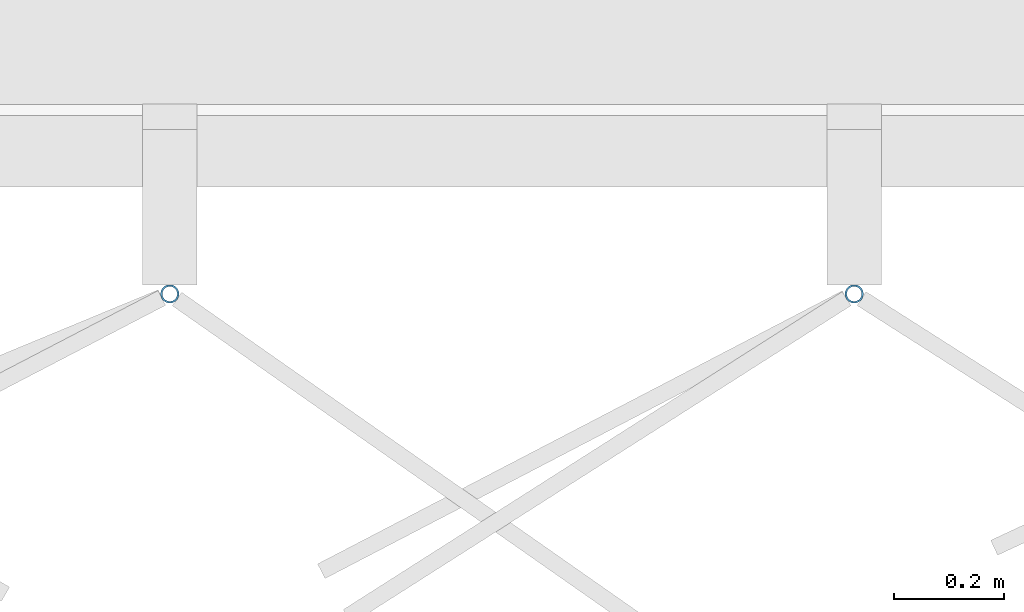
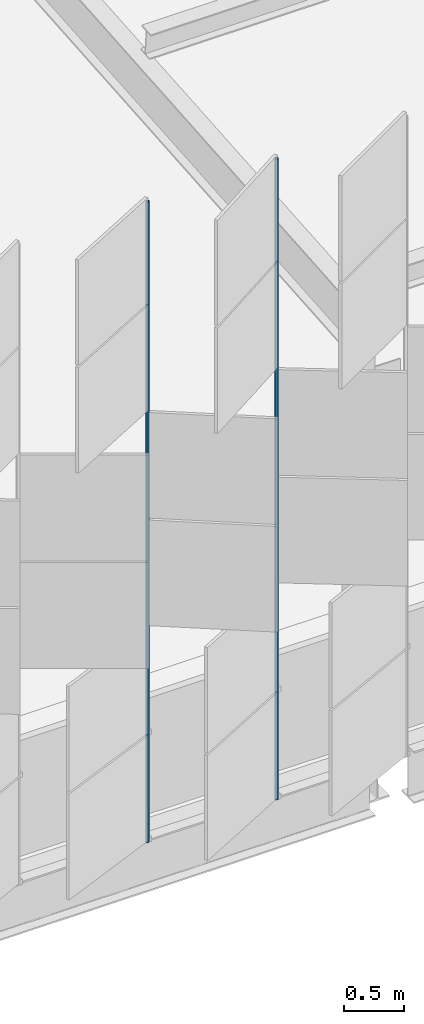
# One storey, part 219 of 483: 2 discrete accessories.
"""IFC4 building model written with IfcOpenShell, lengths in metres."""

import ifcopenshell
import ifcopenshell.guid

model = None  # the IFC model being written
_history = None  # IfcOwnerHistory: only IFC2X3 demands one
_inside = {}  # id of a spatial element -> (the spatial element, [elements in it])
_under = {}  # id of a project, library or spatial element -> (it, [spatial elements below it])
_declared = {}  # id of a project -> (the project, [libraries it declares])
_typed = {}  # id of a type object -> (the type object, [elements of that type])
_made_of = {}  # id of a material, layer set ... -> (it, [elements and type objects made of it])


def new_model(schema):
    """Start an empty IFC model of exactly this schema.

    Asked for "IFC4X3", IfcOpenShell would pick the latest addendum, in which some entities
    have other attributes; the version numbers below select the first issue.
    IFC2X3 requires an IfcOwnerHistory on every rooted entity: one is made here for all.
    """
    global model, _history
    if schema == "IFC4X3":
        model = ifcopenshell.file(schema_version=(4, 3, 0, 0))
    else:
        model = ifcopenshell.file(schema=schema)
    _inside.clear()
    _under.clear()
    _declared.clear()
    _typed.clear()
    _made_of.clear()
    _history = None
    if model.schema == "IFC2X3":
        org = make("IfcOrganization", Name="unknown")
        user = make(
            "IfcPersonAndOrganization",
            ThePerson=make("IfcPerson", FamilyName="unknown"),
            TheOrganization=org,
        )
        app = make(
            "IfcApplication",
            ApplicationDeveloper=org,
            Version="unknown",
            ApplicationFullName="unknown",
            ApplicationIdentifier="unknown",
        )
        _history = make(
            "IfcOwnerHistory",
            OwningUser=user,
            OwningApplication=app,
            ChangeAction="ADDED",
            CreationDate=0,
        )
    return model


def make(cls, **values):
    """One entity of the class cls with the attributes given. An attribute that is None is left unset."""
    return model.create_entity(
        cls, **{name: value for name, value in values.items() if value is not None}
    )


def rooted(cls, **values):
    """An entity with a GlobalId (a new one), such as an element, a storey or a relation."""
    return make(cls, GlobalId=ifcopenshell.guid.new(), OwnerHistory=_history, **values)


def si_unit(unit_type, name, prefix=None):
    """IfcSIUnit, for example si_unit("LENGTHUNIT", "METRE", prefix="MILLI")."""
    return make("IfcSIUnit", UnitType=unit_type, Prefix=prefix, Name=name)


def assignment(units):
    """IfcUnitAssignment: the units of a project."""
    return None if units is None else make("IfcUnitAssignment", Units=units)


def point(xyz):
    """IfcCartesianPoint."""
    return None if xyz is None else make("IfcCartesianPoint", Coordinates=xyz)


def direction(xyz):
    """IfcDirection."""
    return None if xyz is None else make("IfcDirection", DirectionRatios=xyz)


def frame(location, z_axis=None, x_axis=None):
    """IfcAxis2Placement3D, a coordinate frame: its origin and axes. An axis left out is left unset."""
    return make(
        "IfcAxis2Placement3D",
        Location=point(location),
        Axis=direction(z_axis),
        RefDirection=direction(x_axis),
    )


def frame_2d(location, x_axis=None):
    """IfcAxis2Placement2D, a coordinate frame in the plane: its origin and x axis."""
    return make(
        "IfcAxis2Placement2D", Location=point(location), RefDirection=direction(x_axis)
    )


def origin():
    """The frame at (0, 0, 0) with its axes left unset."""
    return frame((0.0, 0.0, 0.0))


def origin_2d():
    """The frame at (0, 0) in the plane with its x axis left unset."""
    return frame_2d((0.0, 0.0))


def place(relative_to, where):
    """IfcLocalPlacement: puts the frame where relative to a parent placement (None: the world)."""
    return make(
        "IfcLocalPlacement", PlacementRelTo=relative_to, RelativePlacement=where
    )


def context(
    kind, dimensions, precision=None, world=None, true_north=None, identifier=None
):
    """IfcGeometricRepresentationContext, for example the 3D "Model" context."""
    return make(
        "IfcGeometricRepresentationContext",
        ContextIdentifier=identifier,
        ContextType=kind,
        CoordinateSpaceDimension=dimensions,
        Precision=precision,
        WorldCoordinateSystem=world,
        TrueNorth=true_north,
    )


def subcontext(parent, identifier, kind, view, scale=None):
    """IfcGeometricRepresentationSubContext, for example "Body" below "Model"."""
    return make(
        "IfcGeometricRepresentationSubContext",
        ContextIdentifier=identifier,
        ContextType=kind,
        ParentContext=parent,
        TargetScale=scale,
        TargetView=view,
    )


def project(units=None, contexts=None):
    """IfcProject with its units and contexts."""
    return rooted(
        "IfcProject",
        Name="project",
        RepresentationContexts=contexts,
        UnitsInContext=assignment(units),
    )


def spatial(cls, under=None, at=None, **own):
    """A site, building, storey or space (cls), placed at a placement, below another one or the project."""
    s = rooted(cls, ObjectPlacement=at, **own)
    if under is not None:
        _under.setdefault(under.id(), (under, []))[1].append(s)
    return s


def profile(cls, at=None, kind="AREA", **sizes):
    """A parametric profile (cls). Its sizes go by their IFC names, for example OverallWidth=200.0."""
    return make(cls, ProfileType=kind, Position=at, **sizes)


def hollow_circle(**sizes):
    """IfcCircleHollowProfileDef."""
    return profile("IfcCircleHollowProfileDef", **sizes)


def extrude(swept, where, along, depth):
    """IfcExtrudedAreaSolid: the profile swept, set in the frame where, extruded along a direction by depth."""
    return make(
        "IfcExtrudedAreaSolid",
        SweptArea=swept,
        Position=where,
        ExtrudedDirection=direction(along),
        Depth=depth,
    )


def shape(context_of_items, identifier, shape_type, items):
    """IfcShapeRepresentation: the items that make up one representation, for example the "Body"."""
    return make(
        "IfcShapeRepresentation",
        ContextOfItems=context_of_items,
        RepresentationIdentifier=identifier,
        RepresentationType=shape_type,
        Items=items,
    )


def material(Name=None, Category=None):
    """IfcMaterial."""
    return make("IfcMaterial", Name=Name, Category=Category)


def material_profile(
    of_material, cross_section, Name=None, Category=None, Priority=None
):
    """IfcMaterialProfile: a cross section and its material."""
    return make(
        "IfcMaterialProfile",
        Name=Name,
        Material=of_material,
        Profile=cross_section,
        Priority=Priority,
        Category=Category,
    )


def profile_set(profiles, Name=None, composite=None):
    """IfcMaterialProfileSet."""
    return make(
        "IfcMaterialProfileSet",
        Name=Name,
        MaterialProfiles=profiles,
        CompositeProfile=composite,
    )


def made_of(thing, what):
    """Note that an element or type object is made of a material, layer set ...; save() writes the relation."""
    if what is not None:
        _made_of.setdefault(what.id(), (what, []))[1].append(thing)
    return thing


def type_object(cls, material=None, **own):
    """A type object (cls), such as IfcWallType, which elements share."""
    return made_of(rooted(cls, **own), material)


def element(
    cls,
    number,
    at=None,
    inside=None,
    cuts=None,
    type_object=None,
    material=None,
    context=None,
    identifier="Body",
    shape_type=None,
    held_by="IfcProductDefinitionShape",
    body=None,
    shapes=None,
    **own,
):
    """One element of the class cls, such as IfcWall. Its Tag is "e" and its number.

    at: its placement. inside: the storey or other place that contains it. cuts: it is an
    opening in that element (IfcRelVoidsElement). A single representation is given by context,
    identifier, shape_type and body (its items); several are given by shapes. held_by: the class
    of the entity that holds the representations. save() writes the other relations.
    """
    e = rooted(cls, Tag="e%d" % number, ObjectPlacement=at, **own)
    if body is not None:
        shapes = [shape(context, identifier, shape_type, body)]
    if shapes is not None:
        e.Representation = make(held_by, Representations=shapes)
    if inside is not None:
        _inside.setdefault(inside.id(), (inside, []))[1].append(e)
    if cuts is not None:
        rooted(
            "IfcRelVoidsElement", RelatingBuildingElement=cuts, RelatedOpeningElement=e
        )
    if type_object is not None:
        _typed.setdefault(type_object.id(), (type_object, []))[1].append(e)
    return made_of(e, material)


def aggregate(whole, parts):
    """IfcRelAggregates: a whole, such as a stair, and the parts it consists of."""
    return rooted("IfcRelAggregates", RelatingObject=whole, RelatedObjects=parts)


def save(model, path):
    """Write the relations noted so far, then the file.

    IfcRelAggregates (storeys below a building ...), IfcRelContainedInSpatialStructure (elements
    in a storey), IfcRelDefinesByType, IfcRelAssociatesMaterial and IfcRelDeclares: one each for
    every whole, place, type object, material and project.
    """
    for whole, parts in _under.values():
        aggregate(whole, parts)
    for where, things in _inside.values():
        rooted(
            "IfcRelContainedInSpatialStructure",
            RelatedElements=things,
            RelatingStructure=where,
        )
    for kind, things in _typed.values():
        rooted("IfcRelDefinesByType", RelatedObjects=things, RelatingType=kind)
    for what, things in _made_of.values():
        rooted("IfcRelAssociatesMaterial", RelatedObjects=things, RelatingMaterial=what)
    for by, libraries in _declared.values():
        rooted("IfcRelDeclares", RelatingContext=by, RelatedDefinitions=libraries)
    model.write(path)


model = new_model("IFC4")

# Units and contexts
model_context = context("Model", 3, precision=1e-05, world=origin(), true_north=direction((0.0, 1.0)))
body_context = subcontext(model_context, "Body", "Model", "MODEL_VIEW")
ifc_project = project(units=[si_unit("LENGTHUNIT", "METRE"), si_unit("AREAUNIT", "SQUARE_METRE"), si_unit("VOLUMEUNIT", "CUBIC_METRE"), si_unit("PLANEANGLEUNIT", "RADIAN"), si_unit("MASSUNIT", "GRAM", prefix="KILO")], contexts=[model_context])

# Site, building, storey
site_placement = place(None, origin())
site = spatial("IfcSite", under=ifc_project, at=site_placement, CompositionType="ELEMENT")
building_placement = place(site_placement, origin())
building = spatial("IfcBuilding", under=site, at=building_placement, Name="Parallax Yard Mobility Hub", CompositionType="ELEMENT")
storey_placement = place(building_placement, frame((0.0, 0.0, 13.199951171875)))
storey = spatial("IfcBuildingStorey", under=building, at=storey_placement, Name="L04", CompositionType="ELEMENT", Elevation=13.199951171875)

# Discrete accessories
ifc_material = material(Name="Steel ASTM A500 Gr C, hot-dip galvanised", Category="steel")
ifc_material_profile = material_profile(ifc_material, hollow_circle(Radius=0.016845703125, WallThickness=0.003173828125, at=origin_2d()), Name="CHS 33.7x3.2")
ifc_profile_set = profile_set([ifc_material_profile], Name="Steel ASTM A500 Gr C, hot-dip galvanised")
discrete_accessory_type = type_object("IfcDiscreteAccessoryType", Name="Hinge post CHS 33.7x3.2", PredefinedType="BRACKET", material=ifc_profile_set)
for number, where, z_axis, x_axis, name in (
    (1, (147.4951171875, 112.199951171875, 0.0), (0.0, 0.0, 1.0), (1.0, 0.0, 0.0), "Hinge post bay 14.5 level L04"),
    (2, (148.744384765625, 112.199951171875, 0.0), (0.0, 0.0, 1.0), (1.0, 0.0, 0.0), "Hinge post bay 14.6 level L04"),
):
    element("IfcDiscreteAccessory", number, at=place(storey_placement, frame(where, z_axis=z_axis, x_axis=x_axis)), inside=storey, type_object=discrete_accessory_type, Name=name, PredefinedType="BRACKET", context=body_context, shape_type="SweptSolid", body=[
        extrude(hollow_circle(Radius=0.016845703125, WallThickness=0.003173828125, at=origin_2d()), origin(), (0.0, 0.0, 1.0), 6.550048828125),
    ])

save(model, "model.ifc")
